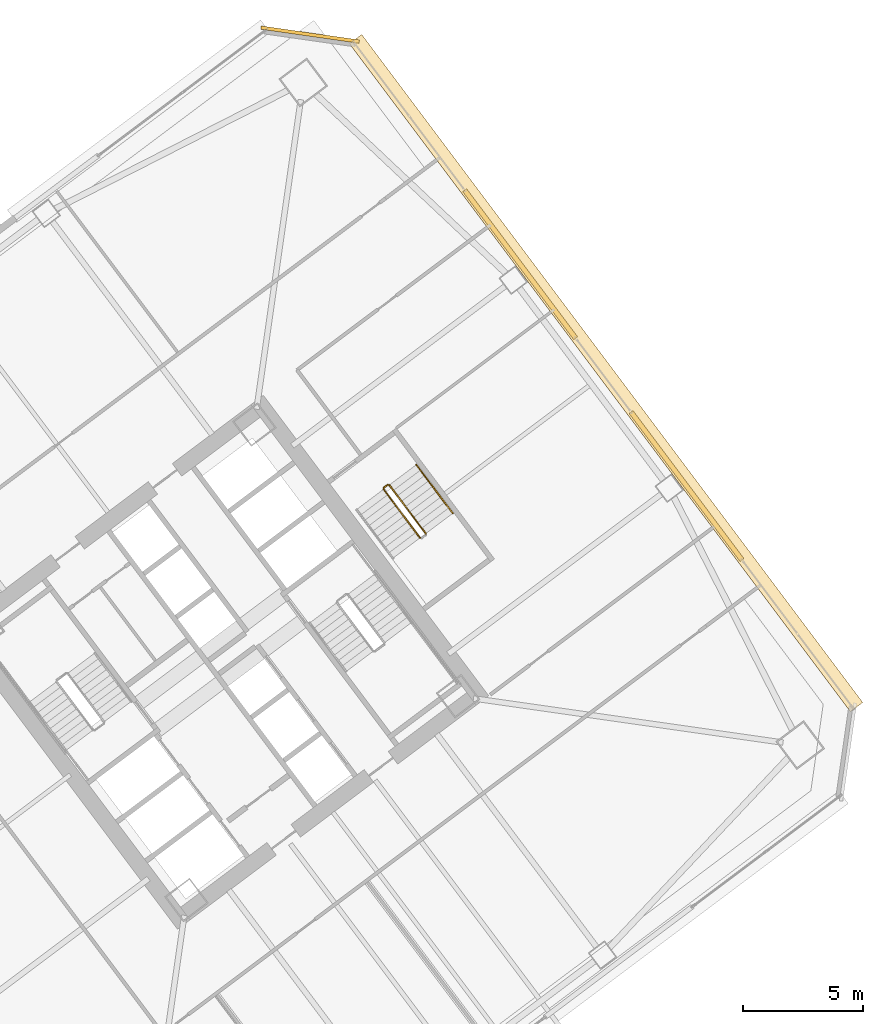
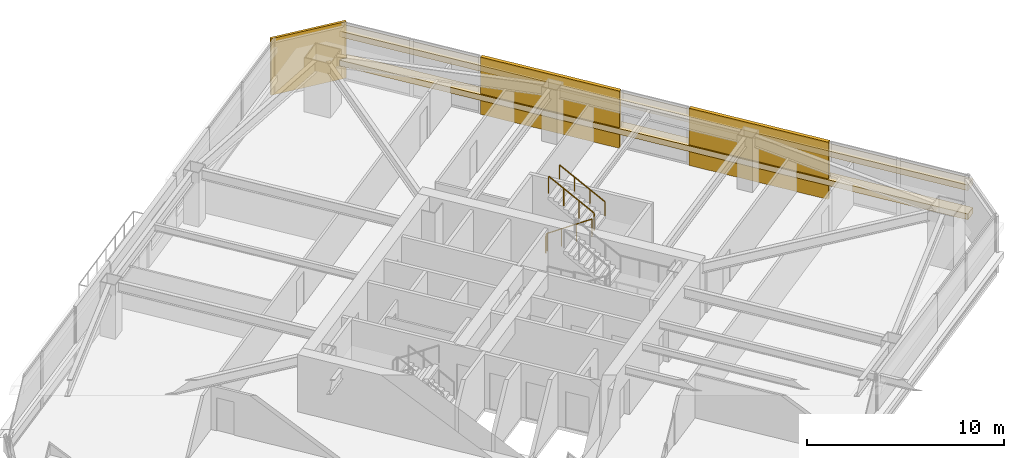
# One storey, part 44 of 44: 5 coverings, 4 railings.
"""IFC4 building model written with IfcOpenShell, lengths in metres."""

from ifc_helpers import new_model, si_unit, direction, frame, origin, origin_2d, place, context, subcontext, project, spatial, rectangle, extrude, material, layer, layer_set, type_object, element, save


model = new_model("IFC4")

# Units and contexts
model_context = context("Model", 3, precision=1e-05, world=origin(), true_north=direction((0.0, 1.0)))
body_context = subcontext(model_context, "Body", "Model", "MODEL_VIEW")
ifc_project = project(units=[si_unit("LENGTHUNIT", "METRE"), si_unit("AREAUNIT", "SQUARE_METRE"), si_unit("VOLUMEUNIT", "CUBIC_METRE"), si_unit("PLANEANGLEUNIT", "RADIAN"), si_unit("MASSUNIT", "GRAM", prefix="KILO")], contexts=[model_context])

# Site, building, storey
site_placement = place(None, origin())
site = spatial("IfcSite", under=ifc_project, at=site_placement, CompositionType="ELEMENT")
building_placement = place(site_placement, origin())
building = spatial("IfcBuilding", under=site, at=building_placement, Name="Tashvorn Skyway Center", CompositionType="ELEMENT")
storey_placement = place(building_placement, frame((0.0, 0.0, 95.60009765625)))
storey = spatial("IfcBuildingStorey", under=building, at=storey_placement, Name="L25", CompositionType="ELEMENT", Elevation=95.60009765625)

# Coverings
ifc_material_1 = material(Name="Precast concrete C40/50", Category="concrete")
ifc_layer_1 = layer(ifc_material_1, 0.199951171875)
ifc_layer_set_1 = layer_set([ifc_layer_1], Name="Precast concrete C40/50")
covering_type_1 = type_object("IfcCoveringType", Name="COV-BRACE-CLAD", PredefinedType="CLADDING", material=ifc_layer_set_1)
for number, where, z_axis, x_axis, name in (
    (1, (126.447998046875, 48.535888671875, 0.0), (0.0, 0.0, 1.0), (0.600000004945, -0.799999996291, 0.0), "Tower 2 L25 East Unitised Curtain Wall Mega-Brace Cladding Band 1"),
    (2, (133.360107421875, 39.320068359375, 0.0), (0.0, 0.0, 1.0), (0.600000004945, -0.799999996291, 0.0), "Tower 2 L25 East Unitised Curtain Wall Mega-Brace Cladding Band 2"),
):
    element("IfcCovering", number, at=place(storey_placement, frame(where, z_axis=z_axis, x_axis=x_axis)), inside=storey, type_object=covering_type_1, Name=name, PredefinedType="CLADDING", context=body_context, shape_type="SweptSolid", body=[
        extrude(rectangle(XDim=7.679931640625, YDim=0.199951171875, at=origin_2d()), origin(), (0.0, 0.0, 1.0), 3.550048828125),
    ])
ifc_material_2 = material(Name="Perforated ceramic-coated bronze aluminium solar screen", Category="aluminium")
ifc_layer_2 = layer(ifc_material_2, 0.85009765625)
ifc_layer_set_2 = layer_set([ifc_layer_2], Name="Perforated ceramic-coated bronze aluminium solar screen")
covering_type_2 = type_object("IfcCoveringType", Name="COV-SOLAR-BAND", PredefinedType="CLADDING", material=ifc_layer_set_2)
for number, where, z_axis, x_axis, name in (
    (3, (130.01611328125, 44.011962890625, 0.919921875), (0.0, 0.0, 1.0), (0.600000004945, -0.799999996291, 0.0), "L25 Perforated Ceramic-Metal Solar Screen Louvre Band East 1"),
    (4, (130.01611328125, 44.011962890625, 2.7197265625), (0.0, 0.0, 1.0), (0.600000004945, -0.799999996291, 0.0), "L25 Perforated Ceramic-Metal Solar Screen Louvre Band East 2"),
):
    element("IfcCovering", number, at=place(storey_placement, frame(where, z_axis=z_axis, x_axis=x_axis)), inside=storey, type_object=covering_type_2, Name=name, PredefinedType="CLADDING", context=body_context, shape_type="SweptSolid", body=[
        extrude(rectangle(XDim=34.679931640625, YDim=0.639892578125, at=origin_2d()), origin(), (0.0, 0.0, 1.0), 0.360107421875),
    ])
ifc_layer_3 = layer(ifc_material_1, 0.35009765625)
ifc_layer_set_3 = layer_set([ifc_layer_3], Name="Precast concrete C40/50")
covering_type_3 = type_object("IfcCoveringType", Name="COV-STONE-TRIM", PredefinedType="CLADDING", material=ifc_layer_set_3)
covering_placement = place(storey_placement, frame((117.72412109375, 58.068115234375, 0.02001953125), z_axis=(0.0, 0.0, 1.0), x_axis=(0.989949494535, -0.141421350118, 0.0)))
element("IfcCovering", 5, at=covering_placement, inside=storey, type_object=covering_type_3, Name="Tower 2 L25 NE Mojave Limestone Corner Quoin", PredefinedType="CLADDING", context=body_context, shape_type="SweptSolid", body=[
    extrude(rectangle(XDim=4.119873046875, YDim=0.139892578125, at=origin_2d()), origin(), (0.0, 0.0, 1.0), 3.510009765625),
])

# Railings
ifc_material_3 = material(Name="Brushed stainless steel 316", Category="steel")
railing_type_1 = type_object("IfcRailingType", Name="RAIL-HAND-920", PredefinedType="HANDRAIL", material=ifc_material_3)
railing_1_placement = place(storey_placement, frame((123.64794921875, 38.18603515625, 1.952392578125)))
element("IfcRailing", 6, at=railing_1_placement, inside=storey, type_object=railing_type_1, Name="L25 ST-T2-3 stair handrail 2", PredefinedType="HANDRAIL", context=body_context, shape_type="SweptSolid", body=[
    extrude(rectangle(XDim=0.048095703125, YDim=0.048095703125, at=origin_2d()), frame((0.0, 0.0, 0.8759765625), z_axis=(-0.506768818287, 0.675664481285, 0.535409071218), x_axis=(-0.79998837352, -0.60001550166, 0.0)), (0.0, 0.0, 1.0), 2.983642578125),
    extrude(rectangle(XDim=0.0419921875, YDim=0.0419921875, at=origin_2d()), origin(), (0.0, 0.0, 1.0), 0.851806640625),
    extrude(rectangle(XDim=0.0419921875, YDim=0.0419921875, at=origin_2d()), frame((-0.50390625, 0.671875, 0.532470703125)), (0.0, 0.0, 1.0), 0.851806640625),
    extrude(rectangle(XDim=0.0419921875, YDim=0.0419921875, at=origin_2d()), frame((-1.008056640625, 1.343994140625, 1.06494140625)), (0.0, 0.0, 1.0), 0.851806640625),
    extrude(rectangle(XDim=0.0419921875, YDim=0.0419921875, at=origin_2d()), frame((-1.511962890625, 2.015869140625, 1.597412109375)), (0.0, 0.0, 1.0), 0.851806640625),
])
ifc_material_4 = material(Name="Painted galvanized steel S355", Category="steel")
railing_type_2 = type_object("IfcRailingType", Name="RAIL-STGUARD-1100", PredefinedType="GUARDRAIL", material=ifc_material_4)
railing_2_placement = place(storey_placement, frame((120.77587890625, 39.181884765625, 0.177490234375)))
element("IfcRailing", 7, at=railing_2_placement, inside=storey, type_object=railing_type_2, Name="L25 ST-T2-3 stair guard 1", PredefinedType="GUARDRAIL", context=body_context, shape_type="SweptSolid", body=[
    extrude(rectangle(XDim=0.048095703125, YDim=0.048095703125, at=origin_2d()), frame((0.0, 0.0, 1.076171875), z_axis=(0.506829628838, -0.67563646195, 0.535386868177), x_axis=(0.799941867976, 0.600077501544, 0.0)), (0.0, 0.0, 1.0), 2.983642578125),
    extrude(rectangle(XDim=0.0419921875, YDim=0.0419921875, at=origin_2d()), origin(), (0.0, 0.0, 1.0), 1.052001953125),
    extrude(rectangle(XDim=0.0419921875, YDim=0.0419921875, at=origin_2d()), frame((0.504150390625, -0.671875, 0.532470703125)), (0.0, 0.0, 1.0), 1.052001953125),
    extrude(rectangle(XDim=0.0419921875, YDim=0.0419921875, at=origin_2d()), frame((1.008056640625, -1.343994140625, 1.06494140625)), (0.0, 0.0, 1.0), 1.052001953125),
    extrude(rectangle(XDim=0.0419921875, YDim=0.0419921875, at=origin_2d()), frame((1.51220703125, -2.015869140625, 1.597412109375)), (0.0, 0.0, 1.0), 1.052001953125),
])
railing_3_placement = place(storey_placement, frame((122.528076171875, 37.345947265625, 1.952392578125)))
element("IfcRailing", 8, at=railing_3_placement, inside=storey, type_object=railing_type_2, Name="L25 ST-T2-3 stair guard 3", PredefinedType="GUARDRAIL", context=body_context, shape_type="SweptSolid", body=[
    extrude(rectangle(XDim=0.048095703125, YDim=0.048095703125, at=origin_2d()), frame((0.0, 0.0, 1.076171875), z_axis=(-0.506740800098, 0.675708949977, 0.535379469569), x_axis=(-0.800023250257, -0.599968998406, 0.0)), (0.0, 0.0, 1.0), 2.983642578125),
    extrude(rectangle(XDim=0.0419921875, YDim=0.0419921875, at=origin_2d()), origin(), (0.0, 0.0, 1.0), 1.052001953125),
    extrude(rectangle(XDim=0.0419921875, YDim=0.0419921875, at=origin_2d()), frame((-0.50390625, 0.672119140625, 0.532470703125)), (0.0, 0.0, 1.0), 1.052001953125),
    extrude(rectangle(XDim=0.0419921875, YDim=0.0419921875, at=origin_2d()), frame((-1.008056640625, 1.343994140625, 1.06494140625)), (0.0, 0.0, 1.0), 1.052001953125),
    extrude(rectangle(XDim=0.0419921875, YDim=0.0419921875, at=origin_2d()), frame((-1.511962890625, 2.01611328125, 1.597412109375)), (0.0, 0.0, 1.0), 1.052001953125),
])
railing_4_placement = place(storey_placement, frame((120.785888671875, 39.251953125, 0.0)))
element("IfcRailing", 9, at=railing_4_placement, inside=storey, type_object=railing_type_2, Name="L25 ST-T2-3 stair guard 4", PredefinedType="GUARDRAIL", context=body_context, shape_type="SweptSolid", body=[
    extrude(rectangle(XDim=0.048095703125, YDim=0.048095703125, at=origin_2d()), frame((0.0, 0.0, 1.076171875), z_axis=(0.8, 0.6, 0.0), x_axis=(-0.6, 0.8, 0.0)), (0.0, 0.0, 1.0), 0.2001953125),
    extrude(rectangle(XDim=0.0419921875, YDim=0.0419921875, at=origin_2d()), origin(), (0.0, 0.0, 1.0), 1.052001953125),
    extrude(rectangle(XDim=0.0419921875, YDim=0.0419921875, at=origin_2d()), frame((0.16015625, 0.1201171875, 0.0)), (0.0, 0.0, 1.0), 1.052001953125),
])

save(model, "model.ifc")
